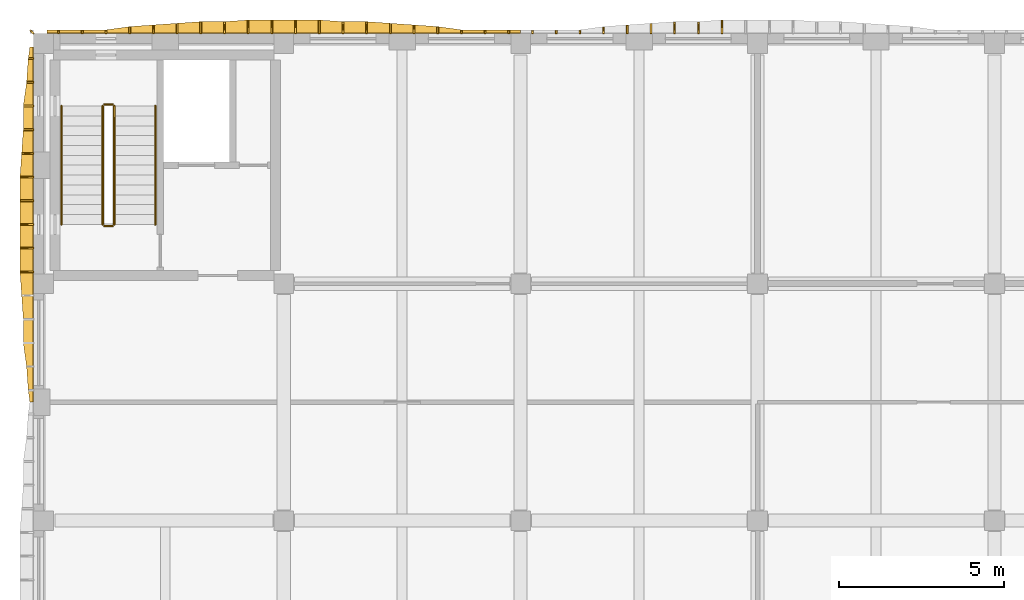
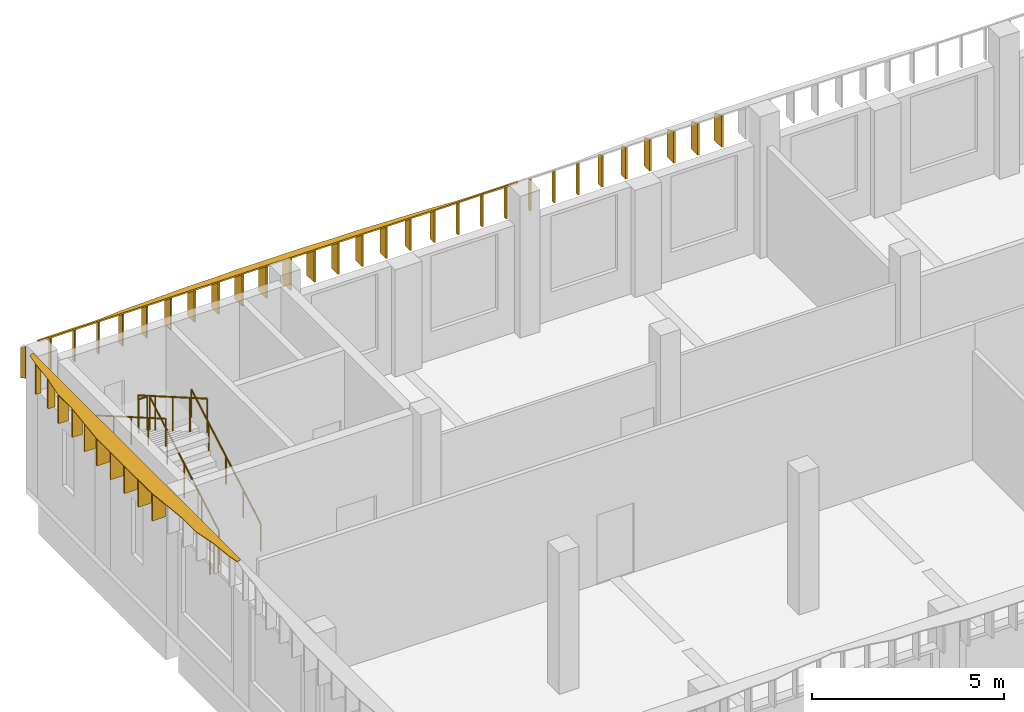
# One storey, part 32 of 44: 42 shading devices, 6 railings.
"""IFC4 building model written with IfcOpenShell, lengths in metres."""

from ifc_helpers import new_model, si_unit, direction, frame, origin, origin_2d, place, context, subcontext, project, spatial, polyline, circle, outline, extrude, material, layer, layer_set, type_object, element, save


model = new_model("IFC4")

# Units and contexts
model_context = context("Model", 3, precision=1e-05, world=origin(), true_north=direction((0.0, 1.0)))
body_context = subcontext(model_context, "Body", "Model", "MODEL_VIEW")
ifc_project = project(units=[si_unit("LENGTHUNIT", "METRE"), si_unit("AREAUNIT", "SQUARE_METRE"), si_unit("VOLUMEUNIT", "CUBIC_METRE"), si_unit("PLANEANGLEUNIT", "RADIAN"), si_unit("MASSUNIT", "GRAM", prefix="KILO")], contexts=[model_context])

# Site, building, storey
site_placement = place(None, origin())
site = spatial("IfcSite", under=ifc_project, at=site_placement, CompositionType="ELEMENT")
building_placement = place(site_placement, origin())
building = spatial("IfcBuilding", under=site, at=building_placement, Name="Ussher Court Research Institute", CompositionType="ELEMENT")
storey_placement = place(building_placement, frame((0.0, 0.0, 18.89990234375)))
storey = spatial("IfcBuildingStorey", under=building, at=storey_placement, Name="L04", CompositionType="ELEMENT", Elevation=18.89990234375)

# Shading devices
ifc_material_1 = material(Name="Bronze anodised aluminium", Category="aluminium")
ifc_layer_1 = layer(ifc_material_1, 0.050048828125)
ifc_layer_set_1 = layer_set([ifc_layer_1], Name="Bronze anodised aluminium")
shading_device_type_1 = type_object("IfcShadingDeviceType", Name="Brim blade 100 mm deep 1000 mm high canted 20 deg dry", PredefinedType="USERDEFINED", material=ifc_layer_set_1)
for number, where, z_axis, x_axis, name in (
    (1, (3.360107421875, 90.800048828125, 3.4501953125), (0.0, 0.0, 1.0), (0.0, 1.0, 0.0), "Brim blade BS17 L04"),
    (2, (4.080078125, 90.800048828125, 3.4501953125), (0.0, 0.0, 1.0), (0.0, 1.0, 0.0), "Brim blade BS17 L04"),
    (3, (4.800048828125, 90.800048828125, 3.4501953125), (0.0, 0.0, 1.0), (0.0, 1.0, 0.0), "Brim blade BS17 L04"),
    (4, (15.60009765625, 90.800048828125, 3.4501953125), (0.0, 0.0, 1.0), (0.0, 1.0, 0.0), "Brim blade BS17 L04"),
    (5, (16.320068359375, 90.800048828125, 3.4501953125), (0.0, 0.0, 1.0), (0.0, 1.0, 0.0), "Brim blade BS17 L04"),
    (6, (17.0400390625, 90.800048828125, 3.4501953125), (0.0, 0.0, 1.0), (0.0, 1.0, 0.0), "Brim blade BS17 L04"),
    (7, (17.760009765625, 90.800048828125, 3.4501953125), (0.0, 0.0, 1.0), (0.0, 1.0, 0.0), "Brim blade BS17 L04"),
    (8, (18.47998046875, 90.800048828125, 3.4501953125), (0.0, 0.0, 1.0), (0.0, 1.0, 0.0), "Brim blade BS17 L04"),
    (9, (19.199951171875, 90.800048828125, 3.4501953125), (0.0, 0.0, 1.0), (0.0, 1.0, 0.0), "Brim blade BS17 L04"),
):
    element("IfcShadingDevice", number, at=place(storey_placement, frame(where, z_axis=z_axis, x_axis=x_axis)), inside=storey, type_object=shading_device_type_1, Name=name, ObjectType="BLADE", PredefinedType="USERDEFINED", context=body_context, shape_type="SweptSolid", body=[
        extrude(outline(polyline([(0.0, 0.0), (0.099853515625, 0.0), (0.10009765625, 0.963623046875), (0.0, 1.0), (0.0, 0.0)])), frame((0.0, 0.02490234375, 0.0), z_axis=(0.0, -1.0, 0.0), x_axis=(1.0, 0.0, 0.0)), (0.0, 0.0, 1.0), 0.050048828125),
    ])
ifc_material_2 = material(Name="Bronze anodised aluminium", Category="aluminium")
ifc_layer_2 = layer(ifc_material_2, 0.050048828125)
ifc_layer_set_2 = layer_set([ifc_layer_2], Name="Bronze anodised aluminium")
shading_device_type_2 = type_object("IfcShadingDeviceType", Name="Brim blade 150 mm deep 1000 mm high canted 20 deg dry", PredefinedType="USERDEFINED", material=ifc_layer_set_2)
shading_device_1_placement = place(storey_placement, frame((2.60009765625, 90.0400390625, 3.4501953125), z_axis=(0.0, 0.0, 1.0), x_axis=(-1.0, 0.0, 0.0)))
element("IfcShadingDevice", 10, at=shading_device_1_placement, inside=storey, type_object=shading_device_type_2, Name="Brim blade BS16 L04", ObjectType="BLADE", PredefinedType="USERDEFINED", context=body_context, shape_type="SweptSolid", body=[
    extrude(outline(polyline([(0.0, 0.0), (0.150146484375, 0.0), (0.14990234375, 0.9453125), (0.0, 1.0), (0.0, 0.0)])), frame((0.0, 0.02490234375, 0.0), z_axis=(0.0, -1.0, 0.0), x_axis=(1.0, 0.0, 0.0)), (0.0, 0.0, 1.0), 0.050048828125),
])
ifc_material_3 = material(Name="Bronze anodised aluminium", Category="aluminium")
ifc_layer_3 = layer(ifc_material_3, 0.050048828125)
ifc_layer_set_3 = layer_set([ifc_layer_3], Name="Bronze anodised aluminium")
shading_device_type_3 = type_object("IfcShadingDeviceType", Name="Brim blade 200 mm deep 1000 mm high canted 20 deg dry", PredefinedType="USERDEFINED", material=ifc_layer_set_3)
for number, where, z_axis, x_axis, name in (
    (11, (5.52001953125, 90.800048828125, 3.4501953125), (0.0, 0.0, 1.0), (0.0, 1.0, 0.0), "Brim blade BS15 L04"),
    (12, (14.8798828125, 90.800048828125, 3.4501953125), (0.0, 0.0, 1.0), (0.0, 1.0, 0.0), "Brim blade BS15 L04"),
    (13, (19.919921875, 90.800048828125, 3.4501953125), (0.0, 0.0, 1.0), (0.0, 1.0, 0.0), "Brim blade BS15 L04"),
):
    element("IfcShadingDevice", number, at=place(storey_placement, frame(where, z_axis=z_axis, x_axis=x_axis)), inside=storey, type_object=shading_device_type_3, Name=name, ObjectType="BLADE", PredefinedType="USERDEFINED", context=body_context, shape_type="SweptSolid", body=[
        extrude(outline(polyline([(0.0, 0.0), (0.199951171875, 0.0), (0.199951171875, 0.927001953125), (0.0, 1.0), (0.0, 0.0)])), frame((0.0, 0.02490234375, 0.0), z_axis=(0.0, -1.0, 0.0), x_axis=(1.0, 0.0, 0.0)), (0.0, 0.0, 1.0), 0.050048828125),
    ])
shading_device_2_placement = place(storey_placement, frame((2.60009765625, 89.320068359375, 3.4501953125), z_axis=(0.0, 0.0, 1.0), x_axis=(-1.0, 0.0, 0.0)))
element("IfcShadingDevice", 14, at=shading_device_2_placement, inside=storey, type_object=shading_device_type_3, Name="Brim blade BS15 L04", ObjectType="BLADE", PredefinedType="USERDEFINED", context=body_context, shape_type="SweptSolid", body=[
    extrude(outline(polyline([(0.0, 0.0), (0.2001953125, 0.0), (0.199951171875, 0.927001953125), (0.0, 1.0), (0.0, 0.0)])), frame((0.0, 0.02490234375, 0.0), z_axis=(0.0, -1.0, 0.0), x_axis=(1.0, 0.0, 0.0)), (0.0, 0.0, 1.0), 0.050048828125),
])
ifc_material_4 = material(Name="Bronze anodised aluminium", Category="aluminium")
ifc_layer_4 = layer(ifc_material_4, 0.050048828125)
ifc_layer_set_4 = layer_set([ifc_layer_4], Name="Bronze anodised aluminium")
shading_device_type_4 = type_object("IfcShadingDeviceType", Name="Brim blade 250 mm deep 1000 mm high canted 20 deg dry", PredefinedType="USERDEFINED", material=ifc_layer_set_4)
for number, where, z_axis, x_axis, name in (
    (15, (6.239990234375, 90.800048828125, 3.4501953125), (0.0, 0.0, 1.0), (0.0, 1.0, 0.0), "Brim blade BS14 L04"),
    (16, (14.159912109375, 90.800048828125, 3.4501953125), (0.0, 0.0, 1.0), (0.0, 1.0, 0.0), "Brim blade BS14 L04"),
    (17, (20.639892578125, 90.800048828125, 3.4501953125), (0.0, 0.0, 1.0), (0.0, 1.0, 0.0), "Brim blade BS14 L04"),
):
    element("IfcShadingDevice", number, at=place(storey_placement, frame(where, z_axis=z_axis, x_axis=x_axis)), inside=storey, type_object=shading_device_type_4, Name=name, ObjectType="BLADE", PredefinedType="USERDEFINED", context=body_context, shape_type="SweptSolid", body=[
        extrude(outline(polyline([(0.0, 0.0), (0.25, 0.0), (0.25, 0.908935546875), (0.0, 1.0), (0.0, 0.0)])), frame((0.0, 0.02490234375, 0.0), z_axis=(0.0, -1.0, 0.0), x_axis=(1.0, 0.0, 0.0)), (0.0, 0.0, 1.0), 0.050048828125),
    ])
ifc_material_5 = material(Name="Bronze anodised aluminium", Category="aluminium")
ifc_layer_5 = layer(ifc_material_5, 0.050048828125)
ifc_layer_set_5 = layer_set([ifc_layer_5], Name="Bronze anodised aluminium")
shading_device_type_5 = type_object("IfcShadingDeviceType", Name="Brim blade 300 mm deep 1000 mm high canted 20 deg dry", PredefinedType="USERDEFINED", material=ifc_layer_set_5)
for number, where, z_axis, x_axis, name in (
    (18, (6.9599609375, 90.800048828125, 3.4501953125), (0.0, 0.0, 1.0), (0.0, 1.0, 0.0), "Brim blade BS13 L04"),
    (19, (13.43994140625, 90.800048828125, 3.4501953125), (0.0, 0.0, 1.0), (0.0, 1.0, 0.0), "Brim blade BS13 L04"),
    (20, (21.360107421875, 90.800048828125, 3.4501953125), (0.0, 0.0, 1.0), (0.0, 1.0, 0.0), "Brim blade BS13 L04"),
    (21, (2.60009765625, 87.8798828125, 3.4501953125), (0.0, 0.0, 1.0), (-1.0, 0.0, 0.0), "Brim blade BS13 L04"),
    (22, (2.60009765625, 88.60009765625, 3.4501953125), (0.0, 0.0, 1.0), (-1.0, 0.0, 0.0), "Brim blade BS13 L04"),
):
    element("IfcShadingDevice", number, at=place(storey_placement, frame(where, z_axis=z_axis, x_axis=x_axis)), inside=storey, type_object=shading_device_type_5, Name=name, ObjectType="BLADE", PredefinedType="USERDEFINED", context=body_context, shape_type="SweptSolid", body=[
        extrude(outline(polyline([(0.0, 0.0), (0.300048828125, 0.0), (0.300048828125, 0.890625), (0.0, 1.0), (0.0, 0.0)])), frame((0.0, 0.02490234375, 0.0), z_axis=(0.0, -1.0, 0.0), x_axis=(1.0, 0.0, 0.0)), (0.0, 0.0, 1.0), 0.050048828125),
    ])
ifc_material_6 = material(Name="Bronze anodised aluminium", Category="aluminium")
ifc_layer_6 = layer(ifc_material_6, 0.050048828125)
ifc_layer_set_6 = layer_set([ifc_layer_6], Name="Bronze anodised aluminium")
shading_device_type_6 = type_object("IfcShadingDeviceType", Name="Brim blade 350 mm deep 1000 mm high canted 20 deg dry", PredefinedType="USERDEFINED", material=ifc_layer_set_6)
for number, where, z_axis, x_axis, name in (
    (23, (7.679931640625, 90.800048828125, 3.4501953125), (0.0, 0.0, 1.0), (0.0, 1.0, 0.0), "Brim blade BS12 L04"),
    (24, (8.39990234375, 90.800048828125, 3.4501953125), (0.0, 0.0, 1.0), (0.0, 1.0, 0.0), "Brim blade BS12 L04"),
    (25, (12.0, 90.800048828125, 3.4501953125), (0.0, 0.0, 1.0), (0.0, 1.0, 0.0), "Brim blade BS12 L04"),
    (26, (12.719970703125, 90.800048828125, 3.4501953125), (0.0, 0.0, 1.0), (0.0, 1.0, 0.0), "Brim blade BS12 L04"),
    (27, (22.080078125, 90.800048828125, 3.4501953125), (0.0, 0.0, 1.0), (0.0, 1.0, 0.0), "Brim blade BS12 L04"),
    (28, (22.800048828125, 90.800048828125, 3.4501953125), (0.0, 0.0, 1.0), (0.0, 1.0, 0.0), "Brim blade BS12 L04"),
):
    element("IfcShadingDevice", number, at=place(storey_placement, frame(where, z_axis=z_axis, x_axis=x_axis)), inside=storey, type_object=shading_device_type_6, Name=name, ObjectType="BLADE", PredefinedType="USERDEFINED", context=body_context, shape_type="SweptSolid", body=[
        extrude(outline(polyline([(0.0, 0.0), (0.349853515625, 0.0), (0.35009765625, 0.87255859375), (0.0, 1.0), (0.0, 0.0)])), frame((0.0, 0.02490234375, 0.0), z_axis=(0.0, -1.0, 0.0), x_axis=(1.0, 0.0, 0.0)), (0.0, 0.0, 1.0), 0.050048828125),
    ])
shading_device_3_placement = place(storey_placement, frame((2.60009765625, 87.159912109375, 3.4501953125), z_axis=(0.0, 0.0, 1.0), x_axis=(-1.0, 0.0, 0.0)))
element("IfcShadingDevice", 29, at=shading_device_3_placement, inside=storey, type_object=shading_device_type_6, Name="Brim blade BS12 L04", ObjectType="BLADE", PredefinedType="USERDEFINED", context=body_context, shape_type="SweptSolid", body=[
    extrude(outline(polyline([(0.0, 0.0), (0.35009765625, 0.0), (0.35009765625, 0.87255859375), (0.0, 1.0), (0.0, 0.0)])), frame((0.0, 0.02490234375, 0.0), z_axis=(0.0, -1.0, 0.0), x_axis=(1.0, 0.0, 0.0)), (0.0, 0.0, 1.0), 0.050048828125),
])
ifc_material_7 = material(Name="Bronze anodised aluminium", Category="aluminium")
ifc_layer_7 = layer(ifc_material_7, 0.050048828125)
ifc_layer_set_7 = layer_set([ifc_layer_7], Name="Bronze anodised aluminium")
shading_device_type_7 = type_object("IfcShadingDeviceType", Name="Brim blade 400 mm deep 1000 mm high canted 20 deg dry", PredefinedType="USERDEFINED", material=ifc_layer_set_7)
for number, where, z_axis, x_axis, name in (
    (30, (9.1201171875, 90.800048828125, 3.4501953125), (0.0, 0.0, 1.0), (0.0, 1.0, 0.0), "Brim blade BS11 L04"),
    (31, (9.840087890625, 90.800048828125, 3.4501953125), (0.0, 0.0, 1.0), (0.0, 1.0, 0.0), "Brim blade BS11 L04"),
    (32, (10.56005859375, 90.800048828125, 3.4501953125), (0.0, 0.0, 1.0), (0.0, 1.0, 0.0), "Brim blade BS11 L04"),
    (33, (11.280029296875, 90.800048828125, 3.4501953125), (0.0, 0.0, 1.0), (0.0, 1.0, 0.0), "Brim blade BS11 L04"),
    (34, (23.52001953125, 90.800048828125, 3.4501953125), (0.0, 0.0, 1.0), (0.0, 1.0, 0.0), "Brim blade BS11 L04"),
):
    element("IfcShadingDevice", number, at=place(storey_placement, frame(where, z_axis=z_axis, x_axis=x_axis)), inside=storey, type_object=shading_device_type_7, Name=name, ObjectType="BLADE", PredefinedType="USERDEFINED", context=body_context, shape_type="SweptSolid", body=[
        extrude(outline(polyline([(0.0, 0.0), (0.39990234375, 0.0), (0.39990234375, 0.854248046875), (0.0, 1.0), (0.0, 0.0)])), frame((0.0, 0.02490234375, 0.0), z_axis=(0.0, -1.0, 0.0), x_axis=(1.0, 0.0, 0.0)), (0.0, 0.0, 1.0), 0.050048828125),
    ])
for number, where, z_axis, x_axis, name in (
    (35, (2.60009765625, 83.56005859375, 3.4501953125), (0.0, 0.0, 1.0), (-1.0, 0.0, 0.0), "Brim blade BS11 L04"),
    (36, (2.60009765625, 84.280029296875, 3.4501953125), (0.0, 0.0, 1.0), (-1.0, 0.0, 0.0), "Brim blade BS11 L04"),
    (37, (2.60009765625, 85.0, 3.4501953125), (0.0, 0.0, 1.0), (-1.0, 0.0, 0.0), "Brim blade BS11 L04"),
    (38, (2.60009765625, 85.719970703125, 3.4501953125), (0.0, 0.0, 1.0), (-1.0, 0.0, 0.0), "Brim blade BS11 L04"),
    (39, (2.60009765625, 86.43994140625, 3.4501953125), (0.0, 0.0, 1.0), (-1.0, 0.0, 0.0), "Brim blade BS11 L04"),
):
    element("IfcShadingDevice", number, at=place(storey_placement, frame(where, z_axis=z_axis, x_axis=x_axis)), inside=storey, type_object=shading_device_type_7, Name=name, ObjectType="BLADE", PredefinedType="USERDEFINED", context=body_context, shape_type="SweptSolid", body=[
        extrude(outline(polyline([(0.0, 0.0), (0.400146484375, 0.0), (0.39990234375, 0.854248046875), (0.0, 1.0), (0.0, 0.0)])), frame((0.0, 0.02490234375, 0.0), z_axis=(0.0, -1.0, 0.0), x_axis=(1.0, 0.0, 0.0)), (0.0, 0.0, 1.0), 0.050048828125),
    ])
ifc_material_8 = material(Name="Bronze anodised aluminium", Category="aluminium")
ifc_layer_8 = layer(ifc_material_8, 0.050048828125)
ifc_layer_set_8 = layer_set([ifc_layer_8], Name="Bronze anodised aluminium")
shading_device_type_8 = type_object("IfcShadingDeviceType", Name="Brim mitre blade 100 mm deep 1000 mm high canted 20 deg dry", PredefinedType="USERDEFINED", material=ifc_layer_set_8)
shading_device_4_placement = place(storey_placement, frame((2.60009765625, 90.800048828125, 3.4501953125), z_axis=(0.0, 0.0, 1.0), x_axis=(-0.707969631694, 0.706242876495, 0.0)))
element("IfcShadingDevice", 40, at=shading_device_4_placement, inside=storey, type_object=shading_device_type_8, Name="Brim mitre blade BS19 L04", ObjectType="BLADE", PredefinedType="USERDEFINED", context=body_context, shape_type="SweptSolid", body=[
    extrude(outline(polyline([(0.0, 0.0), (0.141357421875, 0.0), (0.141357421875, 0.927001953125), (0.0, 1.0), (0.0, 0.0)])), frame((0.0, 0.02490234375, 0.0), z_axis=(0.0, -1.0, 0.0), x_axis=(1.0, 0.0, 0.0)), (0.0, 0.0, 1.0), 0.050048828125),
])
ifc_material_9 = material(Name="Bronze anodised aluminium", Category="aluminium")
ifc_layer_9 = layer(ifc_material_9, 0.0400390625)
ifc_layer_set_9 = layer_set([ifc_layer_9], Name="Bronze anodised aluminium")
shading_device_type_9 = type_object("IfcShadingDeviceType", Name="Brim visor sheet 40 mm canted 20 deg dry", PredefinedType="USERDEFINED", material=ifc_layer_set_9)
shading_device_5_placement = place(storey_placement, frame((3.0, 90.813720703125, 4.48779296875), z_axis=(0.0, 0.342255789242, 0.939606819223), x_axis=(1.0, 0.0, 0.0)))
element("IfcShadingDevice", 41, at=shading_device_5_placement, inside=storey, type_object=shading_device_type_9, Name="Brim visor sheet BR2 L04", ObjectType="BRIM", PredefinedType="USERDEFINED", context=body_context, shape_type="SweptSolid", body=[
    extrude(outline(polyline([(0.0, 0.0), (14.39990234375, 0.0), (14.39990234375, 0.10650266320275441), (14.0400390625, 0.10650266320275441), (13.320068359375, 0.10650266320275441), (12.60009765625, 0.10650266320275441), (11.8798828125, 0.21285948875170477), (11.159912109375, 0.2660690410819343), (10.43994140625, 0.3193621519544592), (9.719970703125, 0.3725717042846887), (9.0, 0.3725717042846887), (8.280029296875, 0.42563541896111423), (7.56005859375, 0.42563541896111423), (6.840087890625, 0.42563541896111423), (6.1201171875, 0.42563541896111423), (5.39990234375, 0.3725717042846887), (4.679931640625, 0.3725717042846887), (3.9599609375, 0.3193621519544592), (3.239990234375, 0.2660690410819343), (2.52001953125, 0.21285948875170477), (1.800048828125, 0.10650266320275441), (1.080078125, 0.10650266320275441), (0.360107421875, 0.10650266320275441), (0.0, 0.10650266320275441), (0.0, 0.0)])), origin(), (0.0, 0.0, -1.0), 0.0400390625),
])
shading_device_6_placement = place(storey_placement, frame((2.586181640625, 79.60009765625, 4.48779296875), z_axis=(-0.342542336127, 0.0, 0.939502393802), x_axis=(0.0, 1.0, 0.0)))
element("IfcShadingDevice", 42, at=shading_device_6_placement, inside=storey, type_object=shading_device_type_9, Name="Brim visor sheet BR2 L04", ObjectType="BRIM", PredefinedType="USERDEFINED", context=body_context, shape_type="SweptSolid", body=[
    extrude(outline(polyline([(0.0, 0.0), (10.7998046875, 0.0), (10.7998046875, 0.10627326346390428), (10.43994140625, 0.1595663947966779), (9.719970703125, 0.21285952612945153), (9.0, 0.3191327895933558), (8.27978515625, 0.3191327895933558), (7.559814453125, 0.3723422924260984), (6.83984375, 0.425635423758872), (6.119873046875, 0.425635423758872), (5.39990234375, 0.425635423758872), (4.679931640625, 0.425635423758872), (3.9599609375, 0.425635423758872), (3.239990234375, 0.3723422924260984), (2.52001953125, 0.3191327895933558), (1.7998046875, 0.3191327895933558), (1.079833984375, 0.21285952612945153), (0.35986328125, 0.1595663947966779), (0.0, 0.10627326346390428), (0.0, 0.0)])), origin(), (0.0, 0.0, -1.0), 0.0400390625),
])

# Railings
ifc_material_10 = material(Name="Painted steel balustrade", Category="steel")
railing_type_1 = type_object("IfcRailingType", Name="Stair guard 1100 steel balustrade", PredefinedType="GUARDRAIL", material=ifc_material_10)
railing_1_placement = place(storey_placement, frame((5.050048828125, 85.0, 0.173095703125)))
element("IfcRailing", 43, at=railing_1_placement, inside=storey, type_object=railing_type_1, Name="L04 D1 stair guard 1", PredefinedType="GUARDRAIL", context=body_context, shape_type="SweptSolid", body=[
    extrude(circle(Radius=0.02392578125, at=origin_2d()), frame((0.0, 0.0, 1.076171875), z_axis=(0.0, 0.866193409371, 0.499708892819), x_axis=(-1.0, 0.0, 0.0)), (0.0, 0.0, 1.0), 4.15625),
    extrude(circle(Radius=0.02099609375, at=origin_2d()), origin(), (0.0, 0.0, 1.0), 1.052001953125),
    extrude(circle(Radius=0.02099609375, at=origin_2d()), frame((0.0, 0.89990234375, 0.519287109375)), (0.0, 0.0, 1.0), 1.052001953125),
    extrude(circle(Radius=0.02099609375, at=origin_2d()), frame((0.0, 1.800048828125, 1.03857421875)), (0.0, 0.0, 1.0), 1.052001953125),
    extrude(circle(Radius=0.02099609375, at=origin_2d()), frame((0.0, 2.7001953125, 1.5576171875)), (0.0, 0.0, 1.0), 1.052001953125),
    extrude(circle(Radius=0.02099609375, at=origin_2d()), frame((0.0, 3.60009765625, 2.076904296875)), (0.0, 0.0, 1.0), 1.052001953125),
])
railing_2_placement = place(storey_placement, frame((5.0, 88.64990234375, 2.25)))
element("IfcRailing", 44, at=railing_2_placement, inside=storey, type_object=railing_type_1, Name="L04 D1 stair guard 2", PredefinedType="GUARDRAIL", context=body_context, shape_type="SweptSolid", body=[
    extrude(circle(Radius=0.02392578125, at=origin_2d()), frame((0.0, 0.0, 1.076171875), z_axis=(-1.0, 0.0, 0.0), x_axis=(0.0, -1.0, 0.0)), (0.0, 0.0, 1.0), 0.25),
    extrude(circle(Radius=0.02099609375, at=origin_2d()), origin(), (0.0, 0.0, 1.0), 1.052001953125),
    extrude(circle(Radius=0.02099609375, at=origin_2d()), frame((-0.25, 0.0, 0.0)), (0.0, 0.0, 1.0), 1.052001953125),
])
railing_3_placement = place(storey_placement, frame((4.699951171875, 88.60009765625, 2.423095703125)))
element("IfcRailing", 45, at=railing_3_placement, inside=storey, type_object=railing_type_1, Name="L04 D1 stair guard 3", PredefinedType="GUARDRAIL", context=body_context, shape_type="SweptSolid", body=[
    extrude(circle(Radius=0.02392578125, at=origin_2d()), frame((0.0, 0.0, 1.076171875), z_axis=(0.0, -0.866193409371, 0.499708892819), x_axis=(1.0, 0.0, 0.0)), (0.0, 0.0, 1.0), 4.15625),
    extrude(circle(Radius=0.02099609375, at=origin_2d()), origin(), (0.0, 0.0, 1.0), 1.052001953125),
    extrude(circle(Radius=0.02099609375, at=origin_2d()), frame((0.0, -0.89990234375, 0.519287109375)), (0.0, 0.0, 1.0), 1.052001953125),
    extrude(circle(Radius=0.02099609375, at=origin_2d()), frame((0.0, -1.800048828125, 1.03857421875)), (0.0, 0.0, 1.0), 1.052001953125),
    extrude(circle(Radius=0.02099609375, at=origin_2d()), frame((0.0, -2.7001953125, 1.5576171875)), (0.0, 0.0, 1.0), 1.052001953125),
    extrude(circle(Radius=0.02099609375, at=origin_2d()), frame((0.0, -3.60009765625, 2.076904296875)), (0.0, 0.0, 1.0), 1.052001953125),
])
railing_4_placement = place(storey_placement, frame((5.0, 84.949951171875, 0.0)))
element("IfcRailing", 46, at=railing_4_placement, inside=storey, type_object=railing_type_1, Name="L04 D1 stair guard 4", PredefinedType="GUARDRAIL", context=body_context, shape_type="SweptSolid", body=[
    extrude(circle(Radius=0.02392578125, at=origin_2d()), frame((0.0, 0.0, 1.076171875), z_axis=(-1.0, 0.0, 0.0), x_axis=(0.0, -1.0, 0.0)), (0.0, 0.0, 1.0), 0.25),
    extrude(circle(Radius=0.02099609375, at=origin_2d()), origin(), (0.0, 0.0, 1.0), 1.052001953125),
    extrude(circle(Radius=0.02099609375, at=origin_2d()), frame((-0.25, 0.0, 0.0)), (0.0, 0.0, 1.0), 1.052001953125),
])
ifc_material_11 = material(Name="Painted steel handrail", Category="steel")
railing_type_2 = type_object("IfcRailingType", Name="Stair handrail 900 steel", PredefinedType="HANDRAIL", material=ifc_material_11)
railing_5_placement = place(storey_placement, frame((6.300048828125, 85.0, 0.173095703125)))
element("IfcRailing", 47, at=railing_5_placement, inside=storey, type_object=railing_type_2, Name="L04 D1 stair handrail 1", PredefinedType="HANDRAIL", context=body_context, shape_type="SweptSolid", body=[
    extrude(circle(Radius=0.02392578125, at=origin_2d()), frame((0.0, 0.0, 0.8759765625), z_axis=(0.0, 0.866193409371, 0.499708892819), x_axis=(-1.0, 0.0, 0.0)), (0.0, 0.0, 1.0), 4.15625),
    extrude(circle(Radius=0.02099609375, at=origin_2d()), origin(), (0.0, 0.0, 1.0), 0.851806640625),
    extrude(circle(Radius=0.02099609375, at=origin_2d()), frame((0.0, 0.89990234375, 0.519287109375)), (0.0, 0.0, 1.0), 0.851806640625),
    extrude(circle(Radius=0.02099609375, at=origin_2d()), frame((0.0, 1.800048828125, 1.03857421875)), (0.0, 0.0, 1.0), 0.851806640625),
    extrude(circle(Radius=0.02099609375, at=origin_2d()), frame((0.0, 2.7001953125, 1.5576171875)), (0.0, 0.0, 1.0), 0.851806640625),
    extrude(circle(Radius=0.02099609375, at=origin_2d()), frame((0.0, 3.60009765625, 2.076904296875)), (0.0, 0.0, 1.0), 0.851806640625),
])
railing_6_placement = place(storey_placement, frame((3.449951171875, 88.60009765625, 2.423095703125)))
element("IfcRailing", 48, at=railing_6_placement, inside=storey, type_object=railing_type_2, Name="L04 D1 stair handrail 2", PredefinedType="HANDRAIL", context=body_context, shape_type="SweptSolid", body=[
    extrude(circle(Radius=0.02392578125, at=origin_2d()), frame((0.0, 0.0, 0.8759765625), z_axis=(0.0, -0.866193409371, 0.499708892819), x_axis=(1.0, 0.0, 0.0)), (0.0, 0.0, 1.0), 4.15625),
    extrude(circle(Radius=0.02099609375, at=origin_2d()), origin(), (0.0, 0.0, 1.0), 0.851806640625),
    extrude(circle(Radius=0.02099609375, at=origin_2d()), frame((0.0, -0.89990234375, 0.519287109375)), (0.0, 0.0, 1.0), 0.851806640625),
    extrude(circle(Radius=0.02099609375, at=origin_2d()), frame((0.0, -1.800048828125, 1.03857421875)), (0.0, 0.0, 1.0), 0.851806640625),
    extrude(circle(Radius=0.02099609375, at=origin_2d()), frame((0.0, -2.7001953125, 1.5576171875)), (0.0, 0.0, 1.0), 0.851806640625),
    extrude(circle(Radius=0.02099609375, at=origin_2d()), frame((0.0, -3.60009765625, 2.076904296875)), (0.0, 0.0, 1.0), 0.851806640625),
])

save(model, "model.ifc")
